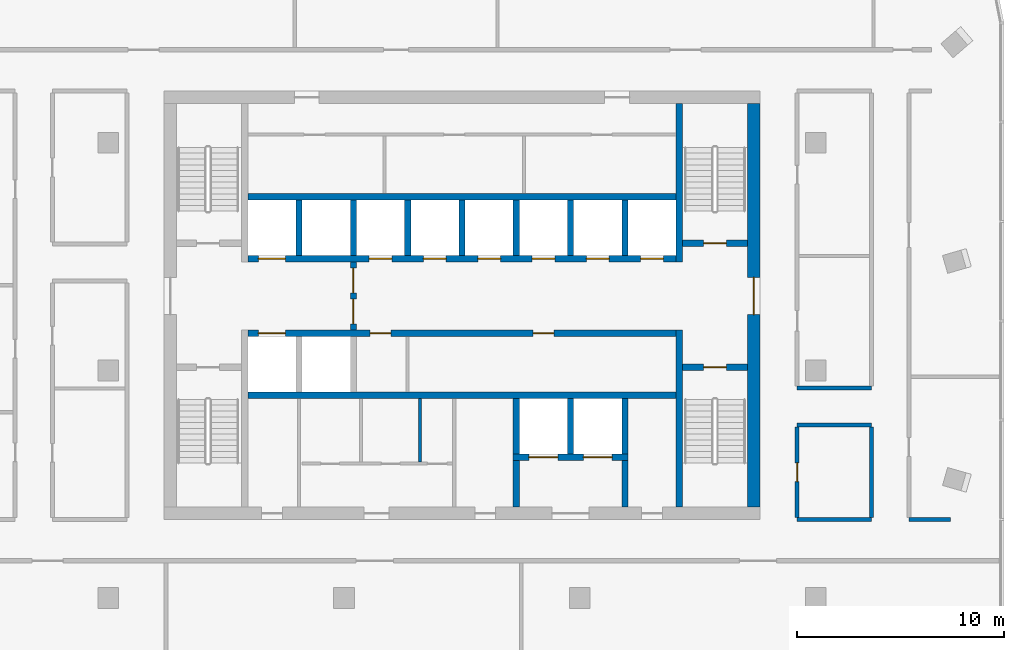
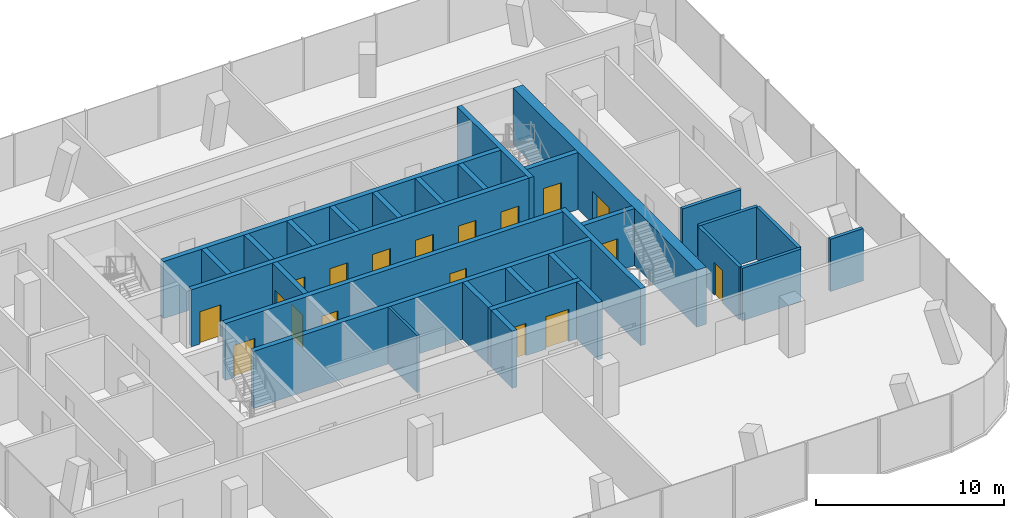
# One storey, part 8 of 11: 30 walls, 18 doors, 18 openings.
"""IFC4 building model written with IfcOpenShell, lengths in metres."""

from ifc_helpers import new_model, si_unit, direction, frame, frame_2d, origin, place, context, subcontext, project, spatial, rectangle, extrude, material, layer, layer_set, type_object, element, fill, save


model = new_model("IFC4")

# Units and contexts
model_context = context("Model", 3, precision=1e-05, world=origin(), true_north=direction((0.0, 1.0)))
body_context = subcontext(model_context, "Body", "Model", "MODEL_VIEW")
ifc_project = project(units=[si_unit("LENGTHUNIT", "METRE"), si_unit("AREAUNIT", "SQUARE_METRE"), si_unit("VOLUMEUNIT", "CUBIC_METRE"), si_unit("PLANEANGLEUNIT", "RADIAN"), si_unit("MASSUNIT", "GRAM", prefix="KILO")], contexts=[model_context])

# Site, building, storey
site_placement = place(None, origin())
site = spatial("IfcSite", under=ifc_project, at=site_placement, CompositionType="ELEMENT")
building_placement = place(site_placement, origin())
building = spatial("IfcBuilding", under=site, at=building_placement, Name="Mopane Tessera Tower", CompositionType="ELEMENT")
storey_placement = place(building_placement, frame((0.0, 0.0, 333.39990234375)))
storey = spatial("IfcBuildingStorey", under=building, at=storey_placement, Name="L73", CompositionType="ELEMENT", Elevation=333.39990234375)

# Wall
ifc_material_1 = material(Name="Fire-rated gypsum board partition")
ifc_layer_1 = layer(ifc_material_1, 0.14990234375)
ifc_layer_set_1 = layer_set([ifc_layer_1], Name="Fire-rated gypsum board partition")
wall_type_1 = type_object("IfcWallType", Name="Core room partition 150 mm", PredefinedType="PARTITIONING", material=ifc_layer_set_1)
wall_1_placement = place(storey_placement, frame((-2.02490234375, -4.425048828125, 0.0), z_axis=(0.0, 0.0, 1.0), x_axis=(0.0, 1.0, 0.0)))
element("IfcWall", 1, at=wall_1_placement, inside=storey, type_object=wall_type_1, Name="L73 WC partition", PredefinedType="PARTITIONING", context=body_context, shape_type="SweptSolid", body=[
    extrude(rectangle(XDim=3.074951171875, YDim=0.14990234375, at=frame_2d((1.53759765625, 0.0))), origin(), (0.0, 0.0, 1.0), 3.7001953125),
])

# Wall, opening, door
ifc_material_2 = material(Name="Concrete C70/85", Category="concrete")
ifc_layer_2 = layer(ifc_material_2, 0.60009765625)
ifc_layer_set_2 = layer_set([ifc_layer_2], Name="Concrete C70/85")
wall_type_2 = type_object("IfcWallType", Name="Core shear wall 600 mm", PredefinedType="SHEAR", material=ifc_layer_set_2)
wall_2_placement = place(storey_placement, frame((14.10009765625, -6.60009765625, 0.0), z_axis=(0.0, 0.0, 1.0), x_axis=(0.0, 1.0, 0.0)))
wall_2 = element("IfcWall", 2, at=wall_2_placement, inside=storey, type_object=wall_type_2, Name="L73 Core wall east", PredefinedType="SHEAR", context=body_context, shape_type="SweptSolid", body=[
    extrude(rectangle(XDim=19.5, YDim=0.60009765625, at=frame_2d((9.75, 0.0))), origin(), (0.0, 0.0, 1.0), 3.7001953125),
])
opening_1_placement = place(wall_2_placement, frame((9.300048828125, 0.0, 0.0)))
opening_1 = element("IfcOpeningElement", 3, at=opening_1_placement, cuts=wall_2, Name="Opening SD2", PredefinedType="OPENING", context=body_context, shape_type="SweptSolid", body=[
    extrude(rectangle(XDim=1.800048828125, YDim=2.10009765625, at=frame_2d((0.89990234375, 1.050048828125))), frame((0.0, 0.31201171875, 0.0), z_axis=(0.0, -1.0, 0.0), x_axis=(1.0, 0.0, 0.0)), (0.0, 0.0, 1.0), 0.6240234375),
])
ifc_material_3 = material(Name="Steel fire door", Category="steel")
door_type_1 = type_object("IfcDoorType", Name="Core entrance double door 1800 x 2100", OperationType="DOUBLE_DOOR_SINGLE_SWING", PredefinedType="DOOR", material=ifc_material_3)
door_1_placement = place(opening_1_placement, origin())
door_1 = element("IfcDoor", 4, at=door_1_placement, inside=storey, type_object=door_type_1, Name="L73 Core entrance door east", OperationType="DOUBLE_DOOR_SINGLE_SWING", OverallHeight=2.10009765625, OverallWidth=1.800048828125, PredefinedType="DOOR", context=body_context, shape_type="SweptSolid", body=[
    extrude(rectangle(XDim=1.800048828125, YDim=2.10009765625, at=frame_2d((0.89990234375, 1.050048828125))), frame((0.0, 0.02490234375, 0.0), z_axis=(0.0, -1.0, 0.0), x_axis=(1.0, 0.0, 0.0)), (0.0, 0.0, 1.0), 0.050048828125),
])
fill(opening_1, door_1)

# Walls
ifc_material_4 = material(Name="Concrete C60/75", Category="concrete")
ifc_layer_3 = layer(ifc_material_4, 0.300048828125)
ifc_layer_set_3 = layer_set([ifc_layer_3], Name="Concrete C60/75")
wall_type_3 = type_object("IfcWallType", Name="Core spine wall 300 mm", PredefinedType="SHEAR", material=ifc_layer_set_3)
wall_3_placement = place(storey_placement, frame((10.5, -6.60009765625, 0.0), z_axis=(0.0, 0.0, 1.0), x_axis=(0.0, 1.0, 0.0)))
element("IfcWall", 5, at=wall_3_placement, inside=storey, type_object=wall_type_3, Name="L73 Core spine wall", PredefinedType="SHEAR", context=body_context, shape_type="SweptSolid", body=[
    extrude(rectangle(XDim=8.550048828125, YDim=0.300048828125, at=frame_2d((4.27490234375, 0.0))), origin(), (0.0, 0.0, 1.0), 3.7001953125),
])
wall_4_placement = place(storey_placement, frame((10.5, 5.25, 0.0), z_axis=(0.0, 0.0, 1.0), x_axis=(0.0, 1.0, 0.0)))
element("IfcWall", 6, at=wall_4_placement, inside=storey, type_object=wall_type_3, Name="L73 Core spine wall", PredefinedType="SHEAR", context=body_context, shape_type="SweptSolid", body=[
    extrude(rectangle(XDim=7.64990234375, YDim=0.300048828125, at=frame_2d((3.824951171875, 0.0))), origin(), (0.0, 0.0, 1.0), 3.7001953125),
])
ifc_material_5 = material(Name="Gypsum board on steel studs, two layers each face, mineral wool infill", Category="steel")
ifc_layer_4 = layer(ifc_material_5, 0.199951171875)
ifc_layer_set_4 = layer_set([ifc_layer_4], Name="Gypsum board on steel studs, two layers each face, mineral wool infill")
wall_type_4 = type_object("IfcWallType", Name="Gypsum board corridor wall 200, rated EI 60", PredefinedType="PARTITIONING", material=ifc_layer_set_4)
wall_5_placement = place(storey_placement, frame((16.199951171875, -7.199951171875, 0.0), z_axis=(0.0, 0.0, 1.0), x_axis=(1.0, 0.0, 0.0)))
element("IfcWall", 7, at=wall_5_placement, inside=storey, type_object=wall_type_4, Name="Partition L73:003", PredefinedType="PARTITIONING", context=body_context, shape_type="SweptSolid", body=[
    extrude(rectangle(XDim=3.60009765625, YDim=0.199951171875, at=frame_2d((1.800048828125, 0.0))), origin(), (0.0, 0.0, 1.0), 3.400146484375),
])
wall_6_placement = place(storey_placement, frame((21.60009765625, -7.199951171875, 0.0), z_axis=(0.0, 0.0, 1.0), x_axis=(1.0, 0.0, 0.0)))
element("IfcWall", 8, at=wall_6_placement, inside=storey, type_object=wall_type_4, Name="Partition L73:004", PredefinedType="PARTITIONING", context=body_context, shape_type="SweptSolid", body=[
    extrude(rectangle(XDim=2.02490234375, YDim=0.199951171875, at=frame_2d((1.012451171875, 0.0))), origin(), (0.0, 0.0, 1.0), 3.400146484375),
])
for number, where, z_axis, x_axis, name in (
    (9, (16.199951171875, -2.639892578125, 0.0), (0.0, 0.0, 1.0), (1.0, 0.0, 0.0), "Partition L73:005"),
    (10, (16.199951171875, -0.840087890625, 0.0), (0.0, 0.0, 1.0), (1.0, 0.0, 0.0), "Partition L73:008"),
):
    element("IfcWall", number, at=place(storey_placement, frame(where, z_axis=z_axis, x_axis=x_axis)), inside=storey, type_object=wall_type_4, Name=name, PredefinedType="PARTITIONING", context=body_context, shape_type="SweptSolid", body=[
        extrude(rectangle(XDim=3.60009765625, YDim=0.199951171875, at=frame_2d((1.800048828125, 0.0))), origin(), (0.0, 0.0, 1.0), 3.400146484375),
    ])

# Wall, opening, door
wall_7_placement = place(storey_placement, frame((16.199951171875, -7.10009765625, 0.0), z_axis=(0.0, 0.0, 1.0), x_axis=(0.0, 1.0, 0.0)))
wall_7 = element("IfcWall", 11, at=wall_7_placement, inside=storey, type_object=wall_type_4, Name="Partition L73:028", PredefinedType="PARTITIONING", context=body_context, shape_type="SweptSolid", body=[
    extrude(rectangle(XDim=4.360107421875, YDim=0.199951171875, at=frame_2d((2.18017578125, 0.0))), origin(), (0.0, 0.0, 1.0), 3.400146484375),
])
opening_2_placement = place(wall_7_placement, frame((1.72998046875, 0.0, 0.0)))
opening_2 = element("IfcOpeningElement", 12, at=opening_2_placement, cuts=wall_7, Name="Opening L73-09", PredefinedType="OPENING", context=body_context, shape_type="SweptSolid", body=[
    extrude(rectangle(XDim=0.89990234375, YDim=2.10009765625, at=frame_2d((0.449951171875, 1.050048828125))), frame((0.0, 0.112060546875, 0.0), z_axis=(0.0, -1.0, 0.0), x_axis=(1.0, 0.0, 0.0)), (0.0, 0.0, 1.0), 0.223876953125),
])
ifc_material_6 = material(Name="Timber veneered steel-framed fire door", Category="steel")
door_type_2 = type_object("IfcDoorType", Name="Fire door FD60 900 x 2100", OperationType="SINGLE_SWING_LEFT", PredefinedType="DOOR", material=ifc_material_6)
door_2_placement = place(opening_2_placement, origin())
door_2 = element("IfcDoor", 13, at=door_2_placement, inside=storey, type_object=door_type_2, Name="Door L73-09", ObjectType="D10A", OperationType="SINGLE_SWING_LEFT", OverallHeight=2.10009765625, OverallWidth=0.89990234375, PredefinedType="DOOR", context=body_context, shape_type="SweptSolid", body=[
    extrude(rectangle(XDim=0.89990234375, YDim=2.10009765625, at=frame_2d((0.449951171875, 1.050048828125))), frame((0.0, 0.02490234375, 0.0), z_axis=(0.0, -1.0, 0.0), x_axis=(1.0, 0.0, 0.0)), (0.0, 0.0, 1.0), 0.050048828125),
])
fill(opening_2, door_2)

# Wall
wall_8_placement = place(storey_placement, frame((19.800048828125, -7.10009765625, 0.0), z_axis=(0.0, 0.0, 1.0), x_axis=(0.0, 1.0, 0.0)))
element("IfcWall", 14, at=wall_8_placement, inside=storey, type_object=wall_type_4, Name="Partition L73:030", PredefinedType="PARTITIONING", context=body_context, shape_type="SweptSolid", body=[
    extrude(rectangle(XDim=4.360107421875, YDim=0.199951171875, at=frame_2d((2.18017578125, 0.0))), origin(), (0.0, 0.0, 1.0), 3.400146484375),
])

# Wall, opening, door
ifc_material_7 = material(Name="Concrete C50/60", Category="concrete")
ifc_layer_5 = layer(ifc_material_7, 0.300048828125)
ifc_layer_set_5 = layer_set([ifc_layer_5], Name="Concrete C50/60")
wall_type_5 = type_object("IfcWallType", Name="Lift and stair shaft wall 300 mm", PredefinedType="SOLIDWALL", material=ifc_layer_set_5)
wall_9_placement = place(storey_placement, frame((10.64990234375, 0.14990234375, 0.0), z_axis=(0.0, 0.0, 1.0), x_axis=(1.0, 0.0, 0.0)))
wall_9 = element("IfcWall", 15, at=wall_9_placement, inside=storey, type_object=wall_type_5, Name="L73 Stair enclosure wall", PredefinedType="SOLIDWALL", context=body_context, shape_type="SweptSolid", body=[
    extrude(rectangle(XDim=3.150146484375, YDim=0.300048828125, at=frame_2d((1.5751953125, 0.0))), origin(), (0.0, 0.0, 1.0), 3.7001953125),
])
opening_3_placement = place(wall_9_placement, frame((1.02490234375, 0.0, 0.0)))
opening_3 = element("IfcOpeningElement", 16, at=opening_3_placement, cuts=wall_9, Name="Opening SD1", PredefinedType="OPENING", context=body_context, shape_type="SweptSolid", body=[
    extrude(rectangle(XDim=1.10009765625, YDim=2.10009765625, at=frame_2d((0.550048828125, 1.050048828125))), frame((0.0, 0.162109375, 0.0), z_axis=(0.0, -1.0, 0.0), x_axis=(1.0, 0.0, 0.0)), (0.0, 0.0, 1.0), 0.323974609375),
])
ifc_material_8 = material(Name="Steel fire door", Category="steel")
door_type_3 = type_object("IfcDoorType", Name="Stair fire door 1100 x 2100", OperationType="SINGLE_SWING_LEFT", PredefinedType="DOOR", material=ifc_material_8)
door_3_placement = place(opening_3_placement, origin())
door_3 = element("IfcDoor", 17, at=door_3_placement, inside=storey, type_object=door_type_3, Name="L73 Stair door ST3", OperationType="SINGLE_SWING_RIGHT", OverallHeight=2.10009765625, OverallWidth=1.10009765625, PredefinedType="DOOR", context=body_context, shape_type="SweptSolid", body=[
    extrude(rectangle(XDim=1.10009765625, YDim=2.10009765625, at=frame_2d((0.550048828125, 1.050048828125))), frame((0.0, 0.02490234375, 0.0), z_axis=(0.0, -1.0, 0.0), x_axis=(1.0, 0.0, 0.0)), (0.0, 0.0, 1.0), 0.050048828125),
])
fill(opening_3, door_3)

wall_10_placement = place(storey_placement, frame((10.64990234375, 6.14990234375, 0.0), z_axis=(0.0, 0.0, 1.0), x_axis=(1.0, 0.0, 0.0)))
wall_10 = element("IfcWall", 18, at=wall_10_placement, inside=storey, type_object=wall_type_5, Name="L73 Stair enclosure wall", PredefinedType="SOLIDWALL", context=body_context, shape_type="SweptSolid", body=[
    extrude(rectangle(XDim=3.150146484375, YDim=0.300048828125, at=frame_2d((1.5751953125, 0.0))), origin(), (0.0, 0.0, 1.0), 3.7001953125),
])
opening_4_placement = place(wall_10_placement, frame((1.02490234375, 0.0, 0.0)))
opening_4 = element("IfcOpeningElement", 19, at=opening_4_placement, cuts=wall_10, Name="Opening SD1", PredefinedType="OPENING", context=body_context, shape_type="SweptSolid", body=[
    extrude(rectangle(XDim=1.10009765625, YDim=2.10009765625, at=frame_2d((0.550048828125, 1.050048828125))), frame((0.0, 0.162109375, 0.0), z_axis=(0.0, -1.0, 0.0), x_axis=(1.0, 0.0, 0.0)), (0.0, 0.0, 1.0), 0.323974609375),
])
door_4_placement = place(opening_4_placement, origin())
door_4 = element("IfcDoor", 20, at=door_4_placement, inside=storey, type_object=door_type_3, Name="L73 Stair door ST4", OperationType="SINGLE_SWING_RIGHT", OverallHeight=2.10009765625, OverallWidth=1.10009765625, PredefinedType="DOOR", context=body_context, shape_type="SweptSolid", body=[
    extrude(rectangle(XDim=1.10009765625, YDim=2.10009765625, at=frame_2d((0.550048828125, 1.050048828125))), frame((0.0, 0.02490234375, 0.0), z_axis=(0.0, -1.0, 0.0), x_axis=(1.0, 0.0, 0.0)), (0.0, 0.0, 1.0), 0.050048828125),
])
fill(opening_4, door_4)

# Wall
wall_11_placement = place(storey_placement, frame((-10.35009765625, -1.199951171875, 0.0), z_axis=(0.0, 0.0, 1.0), x_axis=(1.0, 0.0, 0.0)))
element("IfcWall", 21, at=wall_11_placement, inside=storey, type_object=wall_type_5, Name="L73 Lift shaft rear wall", PredefinedType="SOLIDWALL", context=body_context, shape_type="SweptSolid", body=[
    extrude(rectangle(XDim=20.7001953125, YDim=0.300048828125, at=frame_2d((10.35009765625, 0.0))), origin(), (0.0, 0.0, 1.0), 3.7001953125),
])

# Wall, openings, doors
wall_12_placement = place(storey_placement, frame((-10.35009765625, 1.800048828125, 0.0), z_axis=(0.0, 0.0, 1.0), x_axis=(1.0, 0.0, 0.0)))
wall_12 = element("IfcWall", 22, at=wall_12_placement, inside=storey, type_object=wall_type_5, Name="L73 Lift shaft front wall", PredefinedType="SOLIDWALL", context=body_context, shape_type="SweptSolid", body=[
    extrude(rectangle(XDim=20.7001953125, YDim=0.300048828125, at=frame_2d((10.35009765625, 0.0))), origin(), (0.0, 0.0, 1.0), 3.7001953125),
])
opening_5_placement = place(wall_12_placement, frame((0.512451171875, 0.0, 0.0)))
opening_5 = element("IfcOpeningElement", 23, at=opening_5_placement, cuts=wall_12, Name="Opening LD2", PredefinedType="OPENING", context=body_context, shape_type="SweptSolid", body=[
    extrude(rectangle(XDim=1.300048828125, YDim=2.10009765625, at=frame_2d((0.64990234375, 1.050048828125))), frame((0.0, 0.162109375, 0.0), z_axis=(0.0, -1.0, 0.0), x_axis=(1.0, 0.0, 0.0)), (0.0, 0.0, 1.0), 0.323974609375),
])
opening_6_placement = place(wall_12_placement, frame((5.91259765625, 0.0, 0.0)))
opening_6 = element("IfcOpeningElement", 24, at=opening_6_placement, cuts=wall_12, Name="Opening RD1", PredefinedType="OPENING", context=body_context, shape_type="SweptSolid", body=[
    extrude(rectangle(XDim=1.0, YDim=2.10009765625, at=frame_2d((0.5, 1.050048828125))), frame((0.0, 0.162109375, 0.0), z_axis=(0.0, -1.0, 0.0), x_axis=(1.0, 0.0, 0.0)), (0.0, 0.0, 1.0), 0.323974609375),
])
opening_7_placement = place(wall_12_placement, frame((13.78759765625, 0.0, 0.0)))
opening_7 = element("IfcOpeningElement", 25, at=opening_7_placement, cuts=wall_12, Name="Opening RD1", PredefinedType="OPENING", context=body_context, shape_type="SweptSolid", body=[
    extrude(rectangle(XDim=1.0, YDim=2.10009765625, at=frame_2d((0.5, 1.050048828125))), frame((0.0, 0.162109375, 0.0), z_axis=(0.0, -1.0, 0.0), x_axis=(1.0, 0.0, 0.0)), (0.0, 0.0, 1.0), 0.323974609375),
])
ifc_material_9 = material(Name="Timber door", Category="wood")
door_type_4 = type_object("IfcDoorType", Name="Core room door 1000 x 2100", OperationType="SINGLE_SWING_LEFT", PredefinedType="DOOR", material=ifc_material_9)
door_5_placement = place(opening_6_placement, origin())
door_5 = element("IfcDoor", 26, at=door_5_placement, inside=storey, type_object=door_type_4, Name="L73 Room door", OperationType="SINGLE_SWING_LEFT", OverallHeight=2.10009765625, OverallWidth=1.0, PredefinedType="DOOR", context=body_context, shape_type="SweptSolid", body=[
    extrude(rectangle(XDim=1.0, YDim=2.10009765625, at=frame_2d((0.5, 1.050048828125))), frame((0.0, 0.02490234375, 0.0), z_axis=(0.0, -1.0, 0.0), x_axis=(1.0, 0.0, 0.0)), (0.0, 0.0, 1.0), 0.050048828125),
])
fill(opening_6, door_5)
door_6_placement = place(opening_7_placement, origin())
door_6 = element("IfcDoor", 27, at=door_6_placement, inside=storey, type_object=door_type_4, Name="L73 Room door", OperationType="SINGLE_SWING_LEFT", OverallHeight=2.10009765625, OverallWidth=1.0, PredefinedType="DOOR", context=body_context, shape_type="SweptSolid", body=[
    extrude(rectangle(XDim=1.0, YDim=2.10009765625, at=frame_2d((0.5, 1.050048828125))), frame((0.0, 0.02490234375, 0.0), z_axis=(0.0, -1.0, 0.0), x_axis=(1.0, 0.0, 0.0)), (0.0, 0.0, 1.0), 0.050048828125),
])
fill(opening_7, door_6)
ifc_material_10 = material(Name="Stainless steel sliding door", Category="steel")
door_type_5 = type_object("IfcDoorType", Name="Fire-fighting lift landing door 1300 x 2100", OperationType="DOUBLE_DOOR_SLIDING", PredefinedType="DOOR", material=ifc_material_10)
door_7_placement = place(opening_5_placement, origin())
door_7 = element("IfcDoor", 28, at=door_7_placement, inside=storey, type_object=door_type_5, Name="L73 Lift landing door FF1", OperationType="DOUBLE_DOOR_SLIDING", OverallHeight=2.10009765625, OverallWidth=1.300048828125, PredefinedType="DOOR", context=body_context, shape_type="SweptSolid", body=[
    extrude(rectangle(XDim=1.300048828125, YDim=2.10009765625, at=frame_2d((0.64990234375, 1.050048828125))), frame((0.0, 0.02490234375, 0.0), z_axis=(0.0, -1.0, 0.0), x_axis=(1.0, 0.0, 0.0)), (0.0, 0.0, 1.0), 0.050048828125),
])
fill(opening_5, door_7)

wall_13_placement = place(storey_placement, frame((-10.35009765625, 5.39990234375, 0.0), z_axis=(0.0, 0.0, 1.0), x_axis=(1.0, 0.0, 0.0)))
wall_13 = element("IfcWall", 29, at=wall_13_placement, inside=storey, type_object=wall_type_5, Name="L73 Lift shaft front wall", PredefinedType="SOLIDWALL", context=body_context, shape_type="SweptSolid", body=[
    extrude(rectangle(XDim=20.7001953125, YDim=0.300048828125, at=frame_2d((10.35009765625, 0.0))), origin(), (0.0, 0.0, 1.0), 3.7001953125),
])
opening_8_placement = place(wall_13_placement, frame((0.512451171875, 0.0, 0.0)))
opening_8 = element("IfcOpeningElement", 30, at=opening_8_placement, cuts=wall_13, Name="Opening LD2", PredefinedType="OPENING", context=body_context, shape_type="SweptSolid", body=[
    extrude(rectangle(XDim=1.300048828125, YDim=2.10009765625, at=frame_2d((0.64990234375, 1.050048828125))), frame((0.0, 0.162109375, 0.0), z_axis=(0.0, -1.0, 0.0), x_axis=(1.0, 0.0, 0.0)), (0.0, 0.0, 1.0), 0.323974609375),
])
opening_9_placement = place(wall_13_placement, frame((5.862548828125, 0.0, 0.0)))
opening_9 = element("IfcOpeningElement", 31, at=opening_9_placement, cuts=wall_13, Name="Opening LD", PredefinedType="OPENING", context=body_context, shape_type="SweptSolid", body=[
    extrude(rectangle(XDim=1.10009765625, YDim=2.10009765625, at=frame_2d((0.550048828125, 1.050048828125))), frame((0.0, 0.162109375, 0.0), z_axis=(0.0, -1.0, 0.0), x_axis=(1.0, 0.0, 0.0)), (0.0, 0.0, 1.0), 0.323974609375),
])
opening_10_placement = place(wall_13_placement, frame((8.487548828125, 0.0, 0.0)))
opening_10 = element("IfcOpeningElement", 32, at=opening_10_placement, cuts=wall_13, Name="Opening LD", PredefinedType="OPENING", context=body_context, shape_type="SweptSolid", body=[
    extrude(rectangle(XDim=1.10009765625, YDim=2.10009765625, at=frame_2d((0.550048828125, 1.050048828125))), frame((0.0, 0.162109375, 0.0), z_axis=(0.0, -1.0, 0.0), x_axis=(1.0, 0.0, 0.0)), (0.0, 0.0, 1.0), 0.323974609375),
])
opening_11_placement = place(wall_13_placement, frame((11.112548828125, 0.0, 0.0)))
opening_11 = element("IfcOpeningElement", 33, at=opening_11_placement, cuts=wall_13, Name="Opening LD", PredefinedType="OPENING", context=body_context, shape_type="SweptSolid", body=[
    extrude(rectangle(XDim=1.10009765625, YDim=2.10009765625, at=frame_2d((0.550048828125, 1.050048828125))), frame((0.0, 0.162109375, 0.0), z_axis=(0.0, -1.0, 0.0), x_axis=(1.0, 0.0, 0.0)), (0.0, 0.0, 1.0), 0.323974609375),
])
opening_12_placement = place(wall_13_placement, frame((13.737548828125, 0.0, 0.0)))
opening_12 = element("IfcOpeningElement", 34, at=opening_12_placement, cuts=wall_13, Name="Opening LD", PredefinedType="OPENING", context=body_context, shape_type="SweptSolid", body=[
    extrude(rectangle(XDim=1.10009765625, YDim=2.10009765625, at=frame_2d((0.550048828125, 1.050048828125))), frame((0.0, 0.162109375, 0.0), z_axis=(0.0, -1.0, 0.0), x_axis=(1.0, 0.0, 0.0)), (0.0, 0.0, 1.0), 0.323974609375),
])
opening_13_placement = place(wall_13_placement, frame((16.362548828125, 0.0, 0.0)))
opening_13 = element("IfcOpeningElement", 35, at=opening_13_placement, cuts=wall_13, Name="Opening LD", PredefinedType="OPENING", context=body_context, shape_type="SweptSolid", body=[
    extrude(rectangle(XDim=1.10009765625, YDim=2.10009765625, at=frame_2d((0.550048828125, 1.050048828125))), frame((0.0, 0.162109375, 0.0), z_axis=(0.0, -1.0, 0.0), x_axis=(1.0, 0.0, 0.0)), (0.0, 0.0, 1.0), 0.323974609375),
])
opening_14_placement = place(wall_13_placement, frame((18.987548828125, 0.0, 0.0)))
opening_14 = element("IfcOpeningElement", 36, at=opening_14_placement, cuts=wall_13, Name="Opening LD", PredefinedType="OPENING", context=body_context, shape_type="SweptSolid", body=[
    extrude(rectangle(XDim=1.10009765625, YDim=2.10009765625, at=frame_2d((0.550048828125, 1.050048828125))), frame((0.0, 0.162109375, 0.0), z_axis=(0.0, -1.0, 0.0), x_axis=(1.0, 0.0, 0.0)), (0.0, 0.0, 1.0), 0.323974609375),
])
door_8_placement = place(opening_8_placement, origin())
door_8 = element("IfcDoor", 37, at=door_8_placement, inside=storey, type_object=door_type_5, Name="L73 Lift landing door FF2", OperationType="DOUBLE_DOOR_SLIDING", OverallHeight=2.10009765625, OverallWidth=1.300048828125, PredefinedType="DOOR", context=body_context, shape_type="SweptSolid", body=[
    extrude(rectangle(XDim=1.300048828125, YDim=2.10009765625, at=frame_2d((0.64990234375, 1.050048828125))), frame((0.0, 0.02490234375, 0.0), z_axis=(0.0, -1.0, 0.0), x_axis=(1.0, 0.0, 0.0)), (0.0, 0.0, 1.0), 0.050048828125),
])
fill(opening_8, door_8)
ifc_material_11 = material(Name="Stainless steel sliding door", Category="steel")
door_type_6 = type_object("IfcDoorType", Name="Lift landing door 1100 x 2100", OperationType="DOUBLE_DOOR_SLIDING", PredefinedType="DOOR", material=ifc_material_11)
door_9_placement = place(opening_9_placement, origin())
door_9 = element("IfcDoor", 38, at=door_9_placement, inside=storey, type_object=door_type_6, Name="L73 Lift landing door HR1", OperationType="DOUBLE_DOOR_SLIDING", OverallHeight=2.10009765625, OverallWidth=1.10009765625, PredefinedType="DOOR", context=body_context, shape_type="SweptSolid", body=[
    extrude(rectangle(XDim=1.10009765625, YDim=2.10009765625, at=frame_2d((0.550048828125, 1.050048828125))), frame((0.0, 0.02490234375, 0.0), z_axis=(0.0, -1.0, 0.0), x_axis=(1.0, 0.0, 0.0)), (0.0, 0.0, 1.0), 0.050048828125),
])
fill(opening_9, door_9)
door_10_placement = place(opening_10_placement, origin())
door_10 = element("IfcDoor", 39, at=door_10_placement, inside=storey, type_object=door_type_6, Name="L73 Lift landing door HR2", OperationType="DOUBLE_DOOR_SLIDING", OverallHeight=2.10009765625, OverallWidth=1.10009765625, PredefinedType="DOOR", context=body_context, shape_type="SweptSolid", body=[
    extrude(rectangle(XDim=1.10009765625, YDim=2.10009765625, at=frame_2d((0.550048828125, 1.050048828125))), frame((0.0, 0.02490234375, 0.0), z_axis=(0.0, -1.0, 0.0), x_axis=(1.0, 0.0, 0.0)), (0.0, 0.0, 1.0), 0.050048828125),
])
fill(opening_10, door_10)
door_11_placement = place(opening_11_placement, origin())
door_11 = element("IfcDoor", 40, at=door_11_placement, inside=storey, type_object=door_type_6, Name="L73 Lift landing door HR3", OperationType="DOUBLE_DOOR_SLIDING", OverallHeight=2.10009765625, OverallWidth=1.10009765625, PredefinedType="DOOR", context=body_context, shape_type="SweptSolid", body=[
    extrude(rectangle(XDim=1.10009765625, YDim=2.10009765625, at=frame_2d((0.550048828125, 1.050048828125))), frame((0.0, 0.02490234375, 0.0), z_axis=(0.0, -1.0, 0.0), x_axis=(1.0, 0.0, 0.0)), (0.0, 0.0, 1.0), 0.050048828125),
])
fill(opening_11, door_11)
door_12_placement = place(opening_12_placement, origin())
door_12 = element("IfcDoor", 41, at=door_12_placement, inside=storey, type_object=door_type_6, Name="L73 Lift landing door HR4", OperationType="DOUBLE_DOOR_SLIDING", OverallHeight=2.10009765625, OverallWidth=1.10009765625, PredefinedType="DOOR", context=body_context, shape_type="SweptSolid", body=[
    extrude(rectangle(XDim=1.10009765625, YDim=2.10009765625, at=frame_2d((0.550048828125, 1.050048828125))), frame((0.0, 0.02490234375, 0.0), z_axis=(0.0, -1.0, 0.0), x_axis=(1.0, 0.0, 0.0)), (0.0, 0.0, 1.0), 0.050048828125),
])
fill(opening_12, door_12)
door_13_placement = place(opening_13_placement, origin())
door_13 = element("IfcDoor", 42, at=door_13_placement, inside=storey, type_object=door_type_6, Name="L73 Lift landing door HR5", OperationType="DOUBLE_DOOR_SLIDING", OverallHeight=2.10009765625, OverallWidth=1.10009765625, PredefinedType="DOOR", context=body_context, shape_type="SweptSolid", body=[
    extrude(rectangle(XDim=1.10009765625, YDim=2.10009765625, at=frame_2d((0.550048828125, 1.050048828125))), frame((0.0, 0.02490234375, 0.0), z_axis=(0.0, -1.0, 0.0), x_axis=(1.0, 0.0, 0.0)), (0.0, 0.0, 1.0), 0.050048828125),
])
fill(opening_13, door_13)
door_14_placement = place(opening_14_placement, origin())
door_14 = element("IfcDoor", 43, at=door_14_placement, inside=storey, type_object=door_type_6, Name="L73 Lift landing door HR6", OperationType="DOUBLE_DOOR_SLIDING", OverallHeight=2.10009765625, OverallWidth=1.10009765625, PredefinedType="DOOR", context=body_context, shape_type="SweptSolid", body=[
    extrude(rectangle(XDim=1.10009765625, YDim=2.10009765625, at=frame_2d((0.550048828125, 1.050048828125))), frame((0.0, 0.02490234375, 0.0), z_axis=(0.0, -1.0, 0.0), x_axis=(1.0, 0.0, 0.0)), (0.0, 0.0, 1.0), 0.050048828125),
])
fill(opening_14, door_14)

# Walls
wall_14_placement = place(storey_placement, frame((-10.35009765625, 8.39990234375, 0.0), z_axis=(0.0, 0.0, 1.0), x_axis=(1.0, 0.0, 0.0)))
element("IfcWall", 44, at=wall_14_placement, inside=storey, type_object=wall_type_5, Name="L73 Lift shaft rear wall", PredefinedType="SOLIDWALL", context=body_context, shape_type="SweptSolid", body=[
    extrude(rectangle(XDim=20.7001953125, YDim=0.300048828125, at=frame_2d((10.35009765625, 0.0))), origin(), (0.0, 0.0, 1.0), 3.7001953125),
])
for number, where, z_axis, x_axis, name in (
    (45, (-7.875, 5.550048828125, 0.0), (0.0, 0.0, 1.0), (0.0, 1.0, 0.0), "L73 Lift shaft wall"),
    (46, (-5.25, 5.550048828125, 0.0), (0.0, 0.0, 1.0), (0.0, 1.0, 0.0), "L73 Lift shaft wall"),
    (47, (-2.625, 5.550048828125, 0.0), (0.0, 0.0, 1.0), (0.0, 1.0, 0.0), "L73 Lift shaft wall"),
    (48, (0.0, 5.550048828125, 0.0), (0.0, 0.0, 1.0), (0.0, 1.0, 0.0), "L73 Lift shaft wall"),
    (49, (2.625, 5.550048828125, 0.0), (0.0, 0.0, 1.0), (0.0, 1.0, 0.0), "L73 Lift shaft wall"),
    (50, (5.25, 5.550048828125, 0.0), (0.0, 0.0, 1.0), (0.0, 1.0, 0.0), "L73 Lift shaft wall"),
    (51, (7.875, 5.550048828125, 0.0), (0.0, 0.0, 1.0), (0.0, 1.0, 0.0), "L73 Lift shaft wall"),
):
    element("IfcWall", number, at=place(storey_placement, frame(where, z_axis=z_axis, x_axis=x_axis)), inside=storey, type_object=wall_type_5, Name=name, PredefinedType="SOLIDWALL", context=body_context, shape_type="SweptSolid", body=[
        extrude(rectangle(XDim=2.699951171875, YDim=0.300048828125, at=frame_2d((1.35009765625, 0.0))), origin(), (0.0, 0.0, 1.0), 3.7001953125),
    ])

# Wall, openings, doors
wall_15_placement = place(storey_placement, frame((2.47509765625, -4.199951171875, 0.0), z_axis=(0.0, 0.0, 1.0), x_axis=(1.0, 0.0, 0.0)))
wall_15 = element("IfcWall", 52, at=wall_15_placement, inside=storey, type_object=wall_type_5, Name="L73 Lift shaft front wall", PredefinedType="SOLIDWALL", context=body_context, shape_type="SweptSolid", body=[
    extrude(rectangle(XDim=5.5498046875, YDim=0.300048828125, at=frame_2d((2.77490234375, 0.0))), origin(), (0.0, 0.0, 1.0), 3.7001953125),
])
opening_15_placement = place(wall_15_placement, frame((0.762451171875, 0.0, 0.0)))
opening_15 = element("IfcOpeningElement", 53, at=opening_15_placement, cuts=wall_15, Name="Opening LD3", PredefinedType="OPENING", context=body_context, shape_type="SweptSolid", body=[
    extrude(rectangle(XDim=1.39990234375, YDim=2.10009765625, at=frame_2d((0.699951171875, 1.050048828125))), frame((0.0, 0.162109375, 0.0), z_axis=(0.0, -1.0, 0.0), x_axis=(1.0, 0.0, 0.0)), (0.0, 0.0, 1.0), 0.323974609375),
])
opening_16_placement = place(wall_15_placement, frame((3.387451171875, 0.0, 0.0)))
opening_16 = element("IfcOpeningElement", 54, at=opening_16_placement, cuts=wall_15, Name="Opening LD3", PredefinedType="OPENING", context=body_context, shape_type="SweptSolid", body=[
    extrude(rectangle(XDim=1.39990234375, YDim=2.10009765625, at=frame_2d((0.699951171875, 1.050048828125))), frame((0.0, 0.162109375, 0.0), z_axis=(0.0, -1.0, 0.0), x_axis=(1.0, 0.0, 0.0)), (0.0, 0.0, 1.0), 0.323974609375),
])
ifc_material_12 = material(Name="Stainless steel sliding door", Category="steel")
door_type_7 = type_object("IfcDoorType", Name="Service lift landing door 1400 x 2100", OperationType="DOUBLE_DOOR_SLIDING", PredefinedType="DOOR", material=ifc_material_12)
door_15_placement = place(opening_15_placement, origin())
door_15 = element("IfcDoor", 55, at=door_15_placement, inside=storey, type_object=door_type_7, Name="L73 Lift landing door SV1", OperationType="DOUBLE_DOOR_SLIDING", OverallHeight=2.10009765625, OverallWidth=1.39990234375, PredefinedType="DOOR", context=body_context, shape_type="SweptSolid", body=[
    extrude(rectangle(XDim=1.39990234375, YDim=2.10009765625, at=frame_2d((0.699951171875, 1.050048828125))), frame((0.0, 0.02490234375, 0.0), z_axis=(0.0, -1.0, 0.0), x_axis=(1.0, 0.0, 0.0)), (0.0, 0.0, 1.0), 0.050048828125),
])
fill(opening_15, door_15)
door_16_placement = place(opening_16_placement, origin())
door_16 = element("IfcDoor", 56, at=door_16_placement, inside=storey, type_object=door_type_7, Name="L73 Lift landing door SV2", OperationType="DOUBLE_DOOR_SLIDING", OverallHeight=2.10009765625, OverallWidth=1.39990234375, PredefinedType="DOOR", context=body_context, shape_type="SweptSolid", body=[
    extrude(rectangle(XDim=1.39990234375, YDim=2.10009765625, at=frame_2d((0.699951171875, 1.050048828125))), frame((0.0, 0.02490234375, 0.0), z_axis=(0.0, -1.0, 0.0), x_axis=(1.0, 0.0, 0.0)), (0.0, 0.0, 1.0), 0.050048828125),
])
fill(opening_16, door_16)

# Walls
for number, where, z_axis, x_axis, name in (
    (57, (2.625, -4.050048828125, 0.0), (0.0, 0.0, 1.0), (0.0, 1.0, 0.0), "L73 Lift shaft wall"),
    (58, (5.25, -4.050048828125, 0.0), (0.0, 0.0, 1.0), (0.0, 1.0, 0.0), "L73 Lift shaft wall"),
    (59, (7.875, -4.050048828125, 0.0), (0.0, 0.0, 1.0), (0.0, 1.0, 0.0), "L73 Lift shaft wall"),
):
    element("IfcWall", number, at=place(storey_placement, frame(where, z_axis=z_axis, x_axis=x_axis)), inside=storey, type_object=wall_type_5, Name=name, PredefinedType="SOLIDWALL", context=body_context, shape_type="SweptSolid", body=[
        extrude(rectangle(XDim=2.699951171875, YDim=0.300048828125, at=frame_2d((1.35009765625, 0.0))), origin(), (0.0, 0.0, 1.0), 3.7001953125),
    ])

# Wall, openings, doors
ifc_material_13 = material(Name="Concrete C50/60", Category="concrete")
ifc_layer_6 = layer(ifc_material_13, 0.300048828125)
ifc_layer_set_6 = layer_set([ifc_layer_6], Name="Concrete C50/60")
wall_type_6 = type_object("IfcWallType", Name="Lobby and refuge room wall 300 mm", PredefinedType="SOLIDWALL", material=ifc_layer_set_6)
wall_16_placement = place(storey_placement, frame((-5.25, 1.949951171875, 0.0), z_axis=(0.0, 0.0, 1.0), x_axis=(0.0, 1.0, 0.0)))
wall_16 = element("IfcWall", 60, at=wall_16_placement, inside=storey, type_object=wall_type_6, Name="L73 Fire-fighting lobby wall", PredefinedType="SOLIDWALL", context=body_context, shape_type="SweptSolid", body=[
    extrude(rectangle(XDim=3.300048828125, YDim=0.300048828125, at=frame_2d((1.64990234375, 0.0))), origin(), (0.0, 0.0, 1.0), 3.7001953125),
])
opening_17_placement = place(wall_16_placement, frame((0.300048828125, 0.0, 0.0)))
opening_17 = element("IfcOpeningElement", 61, at=opening_17_placement, cuts=wall_16, Name="Opening SD3", PredefinedType="OPENING", context=body_context, shape_type="SweptSolid", body=[
    extrude(rectangle(XDim=1.199951171875, YDim=2.10009765625, at=frame_2d((0.60009765625, 1.050048828125))), frame((0.0, 0.162109375, 0.0), z_axis=(0.0, -1.0, 0.0), x_axis=(1.0, 0.0, 0.0)), (0.0, 0.0, 1.0), 0.323974609375),
])
opening_18_placement = place(wall_16_placement, frame((1.800048828125, 0.0, 0.0)))
opening_18 = element("IfcOpeningElement", 62, at=opening_18_placement, cuts=wall_16, Name="Opening SD3", PredefinedType="OPENING", context=body_context, shape_type="SweptSolid", body=[
    extrude(rectangle(XDim=1.199951171875, YDim=2.10009765625, at=frame_2d((0.60009765625, 1.050048828125))), frame((0.0, 0.162109375, 0.0), z_axis=(0.0, -1.0, 0.0), x_axis=(1.0, 0.0, 0.0)), (0.0, 0.0, 1.0), 0.323974609375),
])
ifc_material_14 = material(Name="Steel fire door", Category="steel")
door_type_8 = type_object("IfcDoorType", Name="Lobby fire door 1200 x 2100", OperationType="SINGLE_SWING_LEFT", PredefinedType="DOOR", material=ifc_material_14)
door_17_placement = place(opening_17_placement, origin())
door_17 = element("IfcDoor", 63, at=door_17_placement, inside=storey, type_object=door_type_8, Name="L73 Fire-fighting lobby door", OperationType="SINGLE_SWING_LEFT", OverallHeight=2.10009765625, OverallWidth=1.199951171875, PredefinedType="DOOR", context=body_context, shape_type="SweptSolid", body=[
    extrude(rectangle(XDim=1.199951171875, YDim=2.10009765625, at=frame_2d((0.60009765625, 1.050048828125))), frame((0.0, 0.02490234375, 0.0), z_axis=(0.0, -1.0, 0.0), x_axis=(1.0, 0.0, 0.0)), (0.0, 0.0, 1.0), 0.050048828125),
])
fill(opening_17, door_17)
door_18_placement = place(opening_18_placement, origin())
door_18 = element("IfcDoor", 64, at=door_18_placement, inside=storey, type_object=door_type_8, Name="L73 Fire-fighting lobby door", OperationType="SINGLE_SWING_RIGHT", OverallHeight=2.10009765625, OverallWidth=1.199951171875, PredefinedType="DOOR", context=body_context, shape_type="SweptSolid", body=[
    extrude(rectangle(XDim=1.199951171875, YDim=2.10009765625, at=frame_2d((0.60009765625, 1.050048828125))), frame((0.0, 0.02490234375, 0.0), z_axis=(0.0, -1.0, 0.0), x_axis=(1.0, 0.0, 0.0)), (0.0, 0.0, 1.0), 0.050048828125),
])
fill(opening_18, door_18)

# Walls
for number, where, z_axis, x_axis, name in (
    (65, (2.625, -6.60009765625, 0.0), (0.0, 0.0, 1.0), (0.0, 1.0, 0.0), "L73 Service lobby wall"),
    (66, (7.875, -6.60009765625, 0.0), (0.0, 0.0, 1.0), (0.0, 1.0, 0.0), "L73 Service lobby wall"),
):
    element("IfcWall", number, at=place(storey_placement, frame(where, z_axis=z_axis, x_axis=x_axis)), inside=storey, type_object=wall_type_6, Name=name, PredefinedType="SOLIDWALL", context=body_context, shape_type="SweptSolid", body=[
        extrude(rectangle(XDim=2.25, YDim=0.300048828125, at=frame_2d((1.125, 0.0))), origin(), (0.0, 0.0, 1.0), 3.7001953125),
    ])

save(model, "model.ifc")
